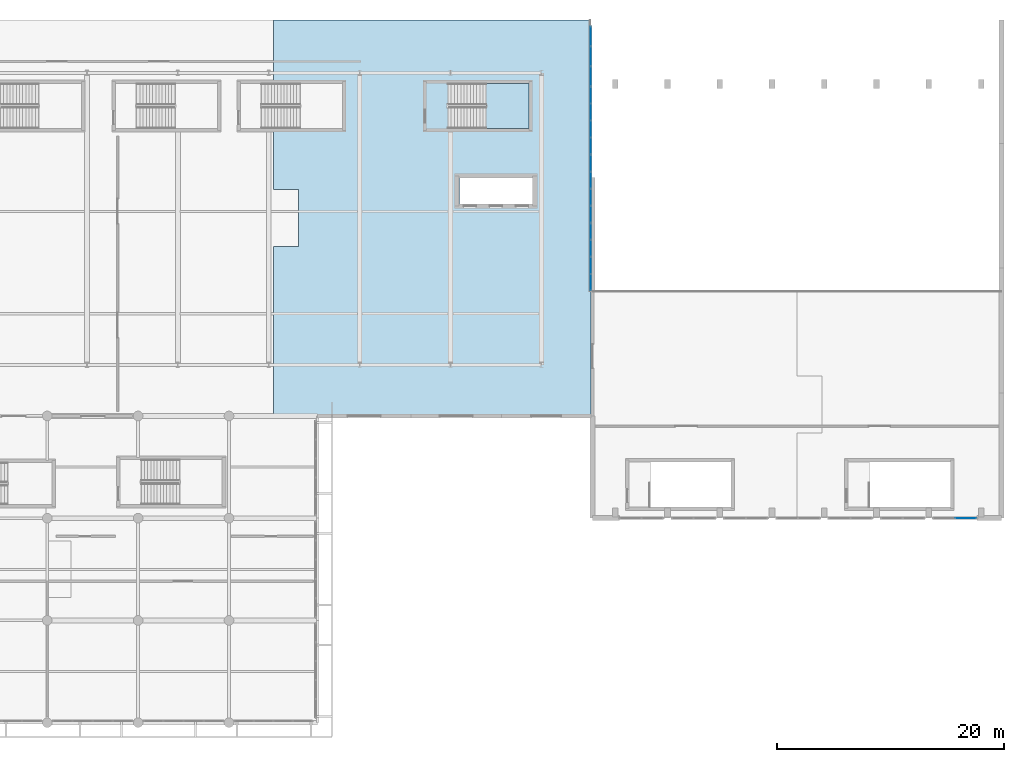
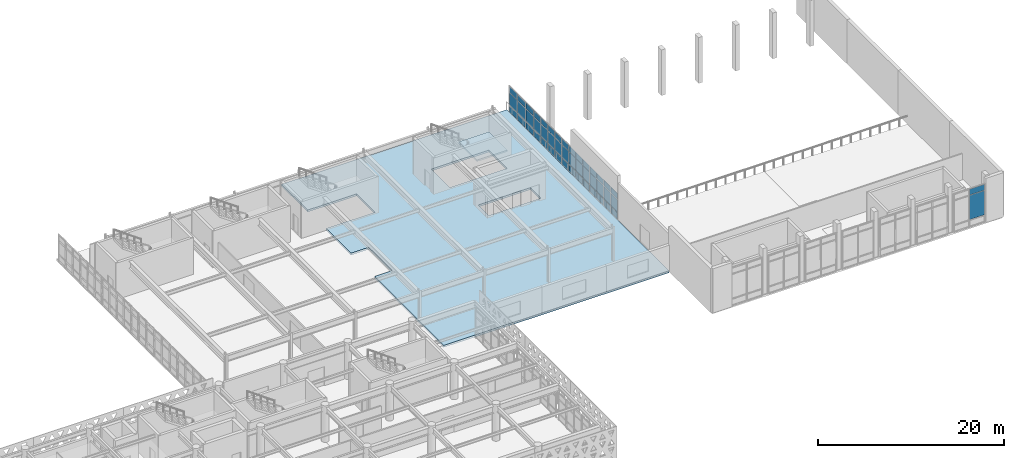
# One storey, part 34 of 54: 47 plates, 2 slabs, 6 elements without a shape of their own.
"""IFC4 building model written with IfcOpenShell, lengths in metres."""

from ifc_helpers import new_model, si_unit, direction, frame, origin, origin_2d, place, context, subcontext, project, spatial, polyline, rectangle, outline, extrude, material, layer, layer_set, type_object, element, aggregate, save


model = new_model("IFC4")

# Units and contexts
model_context = context("Model", 3, precision=1e-05, world=origin(), true_north=direction((0.0, 1.0)))
body_context = subcontext(model_context, "Body", "Model", "MODEL_VIEW")
ifc_project = project(units=[si_unit("LENGTHUNIT", "METRE"), si_unit("AREAUNIT", "SQUARE_METRE"), si_unit("VOLUMEUNIT", "CUBIC_METRE"), si_unit("PLANEANGLEUNIT", "RADIAN"), si_unit("MASSUNIT", "GRAM", prefix="KILO")], contexts=[model_context])

# Site, building, storey
site_placement = place(None, origin())
site = spatial("IfcSite", under=ifc_project, at=site_placement, CompositionType="ELEMENT")
building_placement = place(site_placement, origin())
building = spatial("IfcBuilding", under=site, at=building_placement, Name="Tlacozan Convention Centre", CompositionType="ELEMENT")
storey_placement = place(building_placement, frame((0.0, 0.0, 11.39990234375)))
storey = spatial("IfcBuildingStorey", under=building, at=storey_placement, Name="L02", CompositionType="ELEMENT", Elevation=11.39990234375)

# Curtain wall, plates
ifc_material_1 = material(Name="Dark Bronze Anodised Aluminium", Category="aluminium")
ifc_layer_1 = layer(ifc_material_1, 0.139892578125)
ifc_layer_set_1 = layer_set([ifc_layer_1], Name="Dark Bronze Anodised Aluminium")
curtain_wall_type_1 = type_object("IfcCurtainWallType", Name="Plenary Foyer L02 Curtain Wall CW12", PredefinedType="NOTDEFINED", material=ifc_layer_set_1)
curtain_wall_1_placement = place(storey_placement, origin())
curtain_wall_1 = element("IfcCurtainWall", 1, at=curtain_wall_1_placement, inside=storey, type_object=curtain_wall_type_1, Name="L02 CW-12 Run 154", PredefinedType="NOTDEFINED")
ifc_material_2 = material(Name="Solar Control Double Low-E Argon Glazing", Category="glass")
ifc_layer_2 = layer(ifc_material_2, 0.030029296875)
ifc_layer_set_2 = layer_set([ifc_layer_2], Name="Solar Control Double Low-E Argon Glazing")
plate_type_1 = type_object("IfcPlateType", Name="Double Low-E Acoustic CW Panel 30", PredefinedType="CURTAIN_PANEL", material=ifc_layer_set_2)
plate_1_placement = place(storey_placement, frame((176.860107421875, 18.0, 0.93017578125), z_axis=(0.0, 0.0, 1.0), x_axis=(1.0, 0.0, 0.0)))
plate_1 = element("IfcPlate", 2, at=plate_1_placement, type_object=plate_type_1, Name="CW-12 panel 2.2", PredefinedType="CURTAIN_PANEL", context=body_context, shape_type="SweptSolid", body=[
    extrude(rectangle(XDim=1.860107421875, YDim=0.030029296875, at=origin_2d()), origin(), (0.0, 0.0, 1.0), 3.18994140625),
])
plate_2_placement = place(storey_placement, frame((176.860107421875, 18.0, 4.18017578125), z_axis=(0.0, 0.0, 1.0), x_axis=(1.0, 0.0, 0.0)))
plate_2 = element("IfcPlate", 3, at=plate_2_placement, type_object=plate_type_1, Name="CW-12 panel 2.3", PredefinedType="CURTAIN_PANEL", context=body_context, shape_type="SweptSolid", body=[
    extrude(rectangle(XDim=1.860107421875, YDim=0.030029296875, at=origin_2d()), origin(), (0.0, 0.0, 1.0), 0.760009765625),
])
aggregate(curtain_wall_1, [plate_1, plate_2])

ifc_layer_3 = layer(ifc_material_1, 0.199951171875)
ifc_layer_set_3 = layer_set([ifc_layer_3], Name="Dark Bronze Anodised Aluminium")
curtain_wall_type_2 = type_object("IfcCurtainWallType", Name="Unitised Dining Cloister L02 CW09", PredefinedType="NOTDEFINED", material=ifc_layer_set_3)
curtain_wall_2_placement = place(storey_placement, origin())
curtain_wall_2 = element("IfcCurtainWall", 4, at=curtain_wall_2_placement, inside=storey, type_object=curtain_wall_type_2, Name="L02 CW-09 Run 168", PredefinedType="NOTDEFINED")
ifc_layer_4 = layer(ifc_material_2, 0.02001953125)
ifc_layer_set_4 = layer_set([ifc_layer_4], Name="Solar Control Double Low-E Argon Glazing")
plate_type_2 = type_object("IfcPlateType", Name="Double Low-E Glazed CW Panel 20", PredefinedType="CURTAIN_PANEL", material=ifc_layer_set_4)
plate_3_placement = place(storey_placement, frame((143.85009765625, 38.766357421875, 0.06494140625), z_axis=(0.0, 0.0, 1.0), x_axis=(0.0, 1.0, 0.0)))
plate_3 = element("IfcPlate", 5, at=plate_3_placement, type_object=plate_type_2, Name="CW-09 panel 1.1", PredefinedType="CURTAIN_PANEL", context=body_context, shape_type="SweptSolid", body=[
    extrude(rectangle(XDim=1.402587890625, YDim=0.02001953125, at=origin_2d()), origin(), (0.0, 0.0, 1.0), 0.802490234375),
])
plate_4_placement = place(storey_placement, frame((143.85009765625, 38.766357421875, 0.9326171875), z_axis=(0.0, 0.0, 1.0), x_axis=(0.0, 1.0, 0.0)))
plate_4 = element("IfcPlate", 6, at=plate_4_placement, type_object=plate_type_2, Name="CW-09 panel 1.2", PredefinedType="CURTAIN_PANEL", context=body_context, shape_type="SweptSolid", body=[
    extrude(rectangle(XDim=1.402587890625, YDim=0.02001953125, at=origin_2d()), origin(), (0.0, 0.0, 1.0), 1.68505859375),
])
plate_5_placement = place(storey_placement, frame((143.85009765625, 38.766357421875, 2.6826171875), z_axis=(0.0, 0.0, 1.0), x_axis=(0.0, 1.0, 0.0)))
plate_5 = element("IfcPlate", 7, at=plate_5_placement, type_object=plate_type_2, Name="CW-09 panel 1.3", PredefinedType="CURTAIN_PANEL", context=body_context, shape_type="SweptSolid", body=[
    extrude(rectangle(XDim=1.402587890625, YDim=0.02001953125, at=origin_2d()), origin(), (0.0, 0.0, 1.0), 0.75244140625),
])
plate_6_placement = place(storey_placement, frame((143.85009765625, 40.25, 0.06494140625), z_axis=(0.0, 0.0, 1.0), x_axis=(0.0, 1.0, 0.0)))
plate_6 = element("IfcPlate", 8, at=plate_6_placement, type_object=plate_type_2, Name="CW-09 panel 2.1", PredefinedType="CURTAIN_PANEL", context=body_context, shape_type="SweptSolid", body=[
    extrude(rectangle(XDim=1.43505859375, YDim=0.02001953125, at=origin_2d()), origin(), (0.0, 0.0, 1.0), 0.802490234375),
])
plate_7_placement = place(storey_placement, frame((143.85009765625, 40.25, 0.9326171875), z_axis=(0.0, 0.0, 1.0), x_axis=(0.0, 1.0, 0.0)))
plate_7 = element("IfcPlate", 9, at=plate_7_placement, type_object=plate_type_2, Name="CW-09 panel 2.2", PredefinedType="CURTAIN_PANEL", context=body_context, shape_type="SweptSolid", body=[
    extrude(rectangle(XDim=1.43505859375, YDim=0.02001953125, at=origin_2d()), origin(), (0.0, 0.0, 1.0), 1.68505859375),
])
plate_8_placement = place(storey_placement, frame((143.85009765625, 40.25, 2.6826171875), z_axis=(0.0, 0.0, 1.0), x_axis=(0.0, 1.0, 0.0)))
plate_8 = element("IfcPlate", 10, at=plate_8_placement, type_object=plate_type_2, Name="CW-09 panel 2.3", PredefinedType="CURTAIN_PANEL", context=body_context, shape_type="SweptSolid", body=[
    extrude(rectangle(XDim=1.43505859375, YDim=0.02001953125, at=origin_2d()), origin(), (0.0, 0.0, 1.0), 0.75244140625),
])
plate_9_placement = place(storey_placement, frame((143.85009765625, 41.75, 0.06494140625), z_axis=(0.0, 0.0, 1.0), x_axis=(0.0, 1.0, 0.0)))
plate_9 = element("IfcPlate", 11, at=plate_9_placement, type_object=plate_type_2, Name="CW-09 panel 3.1", PredefinedType="CURTAIN_PANEL", context=body_context, shape_type="SweptSolid", body=[
    extrude(rectangle(XDim=1.43505859375, YDim=0.02001953125, at=origin_2d()), origin(), (0.0, 0.0, 1.0), 0.802490234375),
])
plate_10_placement = place(storey_placement, frame((143.85009765625, 41.75, 0.9326171875), z_axis=(0.0, 0.0, 1.0), x_axis=(0.0, 1.0, 0.0)))
plate_10 = element("IfcPlate", 12, at=plate_10_placement, type_object=plate_type_2, Name="CW-09 panel 3.2", PredefinedType="CURTAIN_PANEL", context=body_context, shape_type="SweptSolid", body=[
    extrude(rectangle(XDim=1.43505859375, YDim=0.02001953125, at=origin_2d()), origin(), (0.0, 0.0, 1.0), 1.68505859375),
])
plate_11_placement = place(storey_placement, frame((143.85009765625, 41.75, 2.6826171875), z_axis=(0.0, 0.0, 1.0), x_axis=(0.0, 1.0, 0.0)))
plate_11 = element("IfcPlate", 13, at=plate_11_placement, type_object=plate_type_2, Name="CW-09 panel 3.3", PredefinedType="CURTAIN_PANEL", context=body_context, shape_type="SweptSolid", body=[
    extrude(rectangle(XDim=1.43505859375, YDim=0.02001953125, at=origin_2d()), origin(), (0.0, 0.0, 1.0), 0.75244140625),
])
plate_12_placement = place(storey_placement, frame((143.85009765625, 43.233642578125, 0.06494140625), z_axis=(0.0, 0.0, 1.0), x_axis=(0.0, 1.0, 0.0)))
plate_12 = element("IfcPlate", 14, at=plate_12_placement, type_object=plate_type_2, Name="CW-09 panel 4.1", PredefinedType="CURTAIN_PANEL", context=body_context, shape_type="SweptSolid", body=[
    extrude(rectangle(XDim=1.402587890625, YDim=0.02001953125, at=origin_2d()), origin(), (0.0, 0.0, 1.0), 0.802490234375),
])
plate_13_placement = place(storey_placement, frame((143.85009765625, 43.233642578125, 0.9326171875), z_axis=(0.0, 0.0, 1.0), x_axis=(0.0, 1.0, 0.0)))
plate_13 = element("IfcPlate", 15, at=plate_13_placement, type_object=plate_type_2, Name="CW-09 panel 4.2", PredefinedType="CURTAIN_PANEL", context=body_context, shape_type="SweptSolid", body=[
    extrude(rectangle(XDim=1.402587890625, YDim=0.02001953125, at=origin_2d()), origin(), (0.0, 0.0, 1.0), 1.68505859375),
])
plate_14_placement = place(storey_placement, frame((143.85009765625, 43.233642578125, 2.6826171875), z_axis=(0.0, 0.0, 1.0), x_axis=(0.0, 1.0, 0.0)))
plate_14 = element("IfcPlate", 16, at=plate_14_placement, type_object=plate_type_2, Name="CW-09 panel 4.3", PredefinedType="CURTAIN_PANEL", context=body_context, shape_type="SweptSolid", body=[
    extrude(rectangle(XDim=1.402587890625, YDim=0.02001953125, at=origin_2d()), origin(), (0.0, 0.0, 1.0), 0.75244140625),
])
aggregate(curtain_wall_2, [plate_3, plate_4, plate_5, plate_6, plate_7, plate_8, plate_9, plate_10, plate_11, plate_12, plate_13, plate_14])

curtain_wall_3_placement = place(storey_placement, origin())
curtain_wall_3 = element("IfcCurtainWall", 17, at=curtain_wall_3_placement, inside=storey, type_object=curtain_wall_type_2, Name="L02 CW-09 Run 169", PredefinedType="NOTDEFINED")
plate_15_placement = place(storey_placement, frame((143.85009765625, 44.766357421875, 0.06494140625), z_axis=(0.0, 0.0, 1.0), x_axis=(0.0, 1.0, 0.0)))
plate_15 = element("IfcPlate", 18, at=plate_15_placement, type_object=plate_type_2, Name="CW-09 panel 1.1", PredefinedType="CURTAIN_PANEL", context=body_context, shape_type="SweptSolid", body=[
    extrude(rectangle(XDim=1.402587890625, YDim=0.02001953125, at=origin_2d()), origin(), (0.0, 0.0, 1.0), 0.802490234375),
])
plate_16_placement = place(storey_placement, frame((143.85009765625, 44.766357421875, 0.9326171875), z_axis=(0.0, 0.0, 1.0), x_axis=(0.0, 1.0, 0.0)))
plate_16 = element("IfcPlate", 19, at=plate_16_placement, type_object=plate_type_2, Name="CW-09 panel 1.2", PredefinedType="CURTAIN_PANEL", context=body_context, shape_type="SweptSolid", body=[
    extrude(rectangle(XDim=1.402587890625, YDim=0.02001953125, at=origin_2d()), origin(), (0.0, 0.0, 1.0), 1.68505859375),
])
plate_17_placement = place(storey_placement, frame((143.85009765625, 44.766357421875, 2.6826171875), z_axis=(0.0, 0.0, 1.0), x_axis=(0.0, 1.0, 0.0)))
plate_17 = element("IfcPlate", 20, at=plate_17_placement, type_object=plate_type_2, Name="CW-09 panel 1.3", PredefinedType="CURTAIN_PANEL", context=body_context, shape_type="SweptSolid", body=[
    extrude(rectangle(XDim=1.402587890625, YDim=0.02001953125, at=origin_2d()), origin(), (0.0, 0.0, 1.0), 0.75244140625),
])
plate_18_placement = place(storey_placement, frame((143.85009765625, 46.25, 0.06494140625), z_axis=(0.0, 0.0, 1.0), x_axis=(0.0, 1.0, 0.0)))
plate_18 = element("IfcPlate", 21, at=plate_18_placement, type_object=plate_type_2, Name="CW-09 panel 2.1", PredefinedType="CURTAIN_PANEL", context=body_context, shape_type="SweptSolid", body=[
    extrude(rectangle(XDim=1.43505859375, YDim=0.02001953125, at=origin_2d()), origin(), (0.0, 0.0, 1.0), 0.802490234375),
])
plate_19_placement = place(storey_placement, frame((143.85009765625, 46.25, 0.9326171875), z_axis=(0.0, 0.0, 1.0), x_axis=(0.0, 1.0, 0.0)))
plate_19 = element("IfcPlate", 22, at=plate_19_placement, type_object=plate_type_2, Name="CW-09 panel 2.2", PredefinedType="CURTAIN_PANEL", context=body_context, shape_type="SweptSolid", body=[
    extrude(rectangle(XDim=1.43505859375, YDim=0.02001953125, at=origin_2d()), origin(), (0.0, 0.0, 1.0), 1.68505859375),
])
plate_20_placement = place(storey_placement, frame((143.85009765625, 46.25, 2.6826171875), z_axis=(0.0, 0.0, 1.0), x_axis=(0.0, 1.0, 0.0)))
plate_20 = element("IfcPlate", 23, at=plate_20_placement, type_object=plate_type_2, Name="CW-09 panel 2.3", PredefinedType="CURTAIN_PANEL", context=body_context, shape_type="SweptSolid", body=[
    extrude(rectangle(XDim=1.43505859375, YDim=0.02001953125, at=origin_2d()), origin(), (0.0, 0.0, 1.0), 0.75244140625),
])
plate_21_placement = place(storey_placement, frame((143.85009765625, 47.75, 0.06494140625), z_axis=(0.0, 0.0, 1.0), x_axis=(0.0, 1.0, 0.0)))
plate_21 = element("IfcPlate", 24, at=plate_21_placement, type_object=plate_type_2, Name="CW-09 panel 3.1", PredefinedType="CURTAIN_PANEL", context=body_context, shape_type="SweptSolid", body=[
    extrude(rectangle(XDim=1.43505859375, YDim=0.02001953125, at=origin_2d()), origin(), (0.0, 0.0, 1.0), 0.802490234375),
])
plate_22_placement = place(storey_placement, frame((143.85009765625, 47.75, 0.9326171875), z_axis=(0.0, 0.0, 1.0), x_axis=(0.0, 1.0, 0.0)))
plate_22 = element("IfcPlate", 25, at=plate_22_placement, type_object=plate_type_2, Name="CW-09 panel 3.2", PredefinedType="CURTAIN_PANEL", context=body_context, shape_type="SweptSolid", body=[
    extrude(rectangle(XDim=1.43505859375, YDim=0.02001953125, at=origin_2d()), origin(), (0.0, 0.0, 1.0), 1.68505859375),
])
plate_23_placement = place(storey_placement, frame((143.85009765625, 47.75, 2.6826171875), z_axis=(0.0, 0.0, 1.0), x_axis=(0.0, 1.0, 0.0)))
plate_23 = element("IfcPlate", 26, at=plate_23_placement, type_object=plate_type_2, Name="CW-09 panel 3.3", PredefinedType="CURTAIN_PANEL", context=body_context, shape_type="SweptSolid", body=[
    extrude(rectangle(XDim=1.43505859375, YDim=0.02001953125, at=origin_2d()), origin(), (0.0, 0.0, 1.0), 0.75244140625),
])
plate_24_placement = place(storey_placement, frame((143.85009765625, 49.233642578125, 0.06494140625), z_axis=(0.0, 0.0, 1.0), x_axis=(0.0, 1.0, 0.0)))
plate_24 = element("IfcPlate", 27, at=plate_24_placement, type_object=plate_type_2, Name="CW-09 panel 4.1", PredefinedType="CURTAIN_PANEL", context=body_context, shape_type="SweptSolid", body=[
    extrude(rectangle(XDim=1.402587890625, YDim=0.02001953125, at=origin_2d()), origin(), (0.0, 0.0, 1.0), 0.802490234375),
])
plate_25_placement = place(storey_placement, frame((143.85009765625, 49.233642578125, 0.9326171875), z_axis=(0.0, 0.0, 1.0), x_axis=(0.0, 1.0, 0.0)))
plate_25 = element("IfcPlate", 28, at=plate_25_placement, type_object=plate_type_2, Name="CW-09 panel 4.2", PredefinedType="CURTAIN_PANEL", context=body_context, shape_type="SweptSolid", body=[
    extrude(rectangle(XDim=1.402587890625, YDim=0.02001953125, at=origin_2d()), origin(), (0.0, 0.0, 1.0), 1.68505859375),
])
plate_26_placement = place(storey_placement, frame((143.85009765625, 49.233642578125, 2.6826171875), z_axis=(0.0, 0.0, 1.0), x_axis=(0.0, 1.0, 0.0)))
plate_26 = element("IfcPlate", 29, at=plate_26_placement, type_object=plate_type_2, Name="CW-09 panel 4.3", PredefinedType="CURTAIN_PANEL", context=body_context, shape_type="SweptSolid", body=[
    extrude(rectangle(XDim=1.402587890625, YDim=0.02001953125, at=origin_2d()), origin(), (0.0, 0.0, 1.0), 0.75244140625),
])
aggregate(curtain_wall_3, [plate_15, plate_16, plate_17, plate_18, plate_19, plate_20, plate_21, plate_22, plate_23, plate_24, plate_25, plate_26])

curtain_wall_4_placement = place(storey_placement, origin())
curtain_wall_4 = element("IfcCurtainWall", 30, at=curtain_wall_4_placement, inside=storey, type_object=curtain_wall_type_2, Name="L02 CW-09 Run 170", PredefinedType="NOTDEFINED")
plate_27_placement = place(storey_placement, frame((143.85009765625, 50.766357421875, 0.06494140625), z_axis=(0.0, 0.0, 1.0), x_axis=(0.0, 1.0, 0.0)))
plate_27 = element("IfcPlate", 31, at=plate_27_placement, type_object=plate_type_2, Name="CW-09 panel 1.1", PredefinedType="CURTAIN_PANEL", context=body_context, shape_type="SweptSolid", body=[
    extrude(rectangle(XDim=1.402587890625, YDim=0.02001953125, at=origin_2d()), origin(), (0.0, 0.0, 1.0), 0.802490234375),
])
plate_28_placement = place(storey_placement, frame((143.85009765625, 50.766357421875, 0.9326171875), z_axis=(0.0, 0.0, 1.0), x_axis=(0.0, 1.0, 0.0)))
plate_28 = element("IfcPlate", 32, at=plate_28_placement, type_object=plate_type_2, Name="CW-09 panel 1.2", PredefinedType="CURTAIN_PANEL", context=body_context, shape_type="SweptSolid", body=[
    extrude(rectangle(XDim=1.402587890625, YDim=0.02001953125, at=origin_2d()), origin(), (0.0, 0.0, 1.0), 1.68505859375),
])
plate_29_placement = place(storey_placement, frame((143.85009765625, 50.766357421875, 2.6826171875), z_axis=(0.0, 0.0, 1.0), x_axis=(0.0, 1.0, 0.0)))
plate_29 = element("IfcPlate", 33, at=plate_29_placement, type_object=plate_type_2, Name="CW-09 panel 1.3", PredefinedType="CURTAIN_PANEL", context=body_context, shape_type="SweptSolid", body=[
    extrude(rectangle(XDim=1.402587890625, YDim=0.02001953125, at=origin_2d()), origin(), (0.0, 0.0, 1.0), 0.75244140625),
])
plate_30_placement = place(storey_placement, frame((143.85009765625, 52.25, 0.06494140625), z_axis=(0.0, 0.0, 1.0), x_axis=(0.0, 1.0, 0.0)))
plate_30 = element("IfcPlate", 34, at=plate_30_placement, type_object=plate_type_2, Name="CW-09 panel 2.1", PredefinedType="CURTAIN_PANEL", context=body_context, shape_type="SweptSolid", body=[
    extrude(rectangle(XDim=1.43505859375, YDim=0.02001953125, at=origin_2d()), origin(), (0.0, 0.0, 1.0), 0.802490234375),
])
plate_31_placement = place(storey_placement, frame((143.85009765625, 52.25, 0.9326171875), z_axis=(0.0, 0.0, 1.0), x_axis=(0.0, 1.0, 0.0)))
plate_31 = element("IfcPlate", 35, at=plate_31_placement, type_object=plate_type_2, Name="CW-09 panel 2.2", PredefinedType="CURTAIN_PANEL", context=body_context, shape_type="SweptSolid", body=[
    extrude(rectangle(XDim=1.43505859375, YDim=0.02001953125, at=origin_2d()), origin(), (0.0, 0.0, 1.0), 1.68505859375),
])
plate_32_placement = place(storey_placement, frame((143.85009765625, 52.25, 2.6826171875), z_axis=(0.0, 0.0, 1.0), x_axis=(0.0, 1.0, 0.0)))
plate_32 = element("IfcPlate", 36, at=plate_32_placement, type_object=plate_type_2, Name="CW-09 panel 2.3", PredefinedType="CURTAIN_PANEL", context=body_context, shape_type="SweptSolid", body=[
    extrude(rectangle(XDim=1.43505859375, YDim=0.02001953125, at=origin_2d()), origin(), (0.0, 0.0, 1.0), 0.75244140625),
])
plate_33_placement = place(storey_placement, frame((143.85009765625, 53.75, 0.06494140625), z_axis=(0.0, 0.0, 1.0), x_axis=(0.0, 1.0, 0.0)))
plate_33 = element("IfcPlate", 37, at=plate_33_placement, type_object=plate_type_2, Name="CW-09 panel 3.1", PredefinedType="CURTAIN_PANEL", context=body_context, shape_type="SweptSolid", body=[
    extrude(rectangle(XDim=1.43505859375, YDim=0.02001953125, at=origin_2d()), origin(), (0.0, 0.0, 1.0), 0.802490234375),
])
plate_34_placement = place(storey_placement, frame((143.85009765625, 53.75, 0.9326171875), z_axis=(0.0, 0.0, 1.0), x_axis=(0.0, 1.0, 0.0)))
plate_34 = element("IfcPlate", 38, at=plate_34_placement, type_object=plate_type_2, Name="CW-09 panel 3.2", PredefinedType="CURTAIN_PANEL", context=body_context, shape_type="SweptSolid", body=[
    extrude(rectangle(XDim=1.43505859375, YDim=0.02001953125, at=origin_2d()), origin(), (0.0, 0.0, 1.0), 1.68505859375),
])
plate_35_placement = place(storey_placement, frame((143.85009765625, 53.75, 2.6826171875), z_axis=(0.0, 0.0, 1.0), x_axis=(0.0, 1.0, 0.0)))
plate_35 = element("IfcPlate", 39, at=plate_35_placement, type_object=plate_type_2, Name="CW-09 panel 3.3", PredefinedType="CURTAIN_PANEL", context=body_context, shape_type="SweptSolid", body=[
    extrude(rectangle(XDim=1.43505859375, YDim=0.02001953125, at=origin_2d()), origin(), (0.0, 0.0, 1.0), 0.75244140625),
])
plate_36_placement = place(storey_placement, frame((143.85009765625, 55.233642578125, 0.06494140625), z_axis=(0.0, 0.0, 1.0), x_axis=(0.0, 1.0, 0.0)))
plate_36 = element("IfcPlate", 40, at=plate_36_placement, type_object=plate_type_2, Name="CW-09 panel 4.1", PredefinedType="CURTAIN_PANEL", context=body_context, shape_type="SweptSolid", body=[
    extrude(rectangle(XDim=1.402587890625, YDim=0.02001953125, at=origin_2d()), origin(), (0.0, 0.0, 1.0), 0.802490234375),
])
plate_37_placement = place(storey_placement, frame((143.85009765625, 55.233642578125, 0.9326171875), z_axis=(0.0, 0.0, 1.0), x_axis=(0.0, 1.0, 0.0)))
plate_37 = element("IfcPlate", 41, at=plate_37_placement, type_object=plate_type_2, Name="CW-09 panel 4.2", PredefinedType="CURTAIN_PANEL", context=body_context, shape_type="SweptSolid", body=[
    extrude(rectangle(XDim=1.402587890625, YDim=0.02001953125, at=origin_2d()), origin(), (0.0, 0.0, 1.0), 1.68505859375),
])
plate_38_placement = place(storey_placement, frame((143.85009765625, 55.233642578125, 2.6826171875), z_axis=(0.0, 0.0, 1.0), x_axis=(0.0, 1.0, 0.0)))
plate_38 = element("IfcPlate", 42, at=plate_38_placement, type_object=plate_type_2, Name="CW-09 panel 4.3", PredefinedType="CURTAIN_PANEL", context=body_context, shape_type="SweptSolid", body=[
    extrude(rectangle(XDim=1.402587890625, YDim=0.02001953125, at=origin_2d()), origin(), (0.0, 0.0, 1.0), 0.75244140625),
])
aggregate(curtain_wall_4, [plate_27, plate_28, plate_29, plate_30, plate_31, plate_32, plate_33, plate_34, plate_35, plate_36, plate_37, plate_38])

curtain_wall_5_placement = place(storey_placement, origin())
curtain_wall_5 = element("IfcCurtainWall", 43, at=curtain_wall_5_placement, inside=storey, type_object=curtain_wall_type_2, Name="L02 CW-09 Run 171", PredefinedType="NOTDEFINED")
plate_39_placement = place(storey_placement, frame((143.85009765625, 56.90283203125, 0.06494140625), z_axis=(0.0, 0.0, 1.0), x_axis=(0.0, 1.0, 0.0)))
plate_39 = element("IfcPlate", 44, at=plate_39_placement, type_object=plate_type_2, Name="CW-09 panel 1.1", PredefinedType="CURTAIN_PANEL", context=body_context, shape_type="SweptSolid", body=[
    extrude(rectangle(XDim=1.67578125, YDim=0.02001953125, at=origin_2d()), origin(), (0.0, 0.0, 1.0), 0.802490234375),
])
plate_40_placement = place(storey_placement, frame((143.85009765625, 56.90283203125, 0.9326171875), z_axis=(0.0, 0.0, 1.0), x_axis=(0.0, 1.0, 0.0)))
plate_40 = element("IfcPlate", 45, at=plate_40_placement, type_object=plate_type_2, Name="CW-09 panel 1.2", PredefinedType="CURTAIN_PANEL", context=body_context, shape_type="SweptSolid", body=[
    extrude(rectangle(XDim=1.67578125, YDim=0.02001953125, at=origin_2d()), origin(), (0.0, 0.0, 1.0), 1.68505859375),
])
plate_41_placement = place(storey_placement, frame((143.85009765625, 56.90283203125, 2.6826171875), z_axis=(0.0, 0.0, 1.0), x_axis=(0.0, 1.0, 0.0)))
plate_41 = element("IfcPlate", 46, at=plate_41_placement, type_object=plate_type_2, Name="CW-09 panel 1.3", PredefinedType="CURTAIN_PANEL", context=body_context, shape_type="SweptSolid", body=[
    extrude(rectangle(XDim=1.67578125, YDim=0.02001953125, at=origin_2d()), origin(), (0.0, 0.0, 1.0), 0.75244140625),
])
plate_42_placement = place(storey_placement, frame((143.85009765625, 58.659912109375, 0.06494140625), z_axis=(0.0, 0.0, 1.0), x_axis=(0.0, 1.0, 0.0)))
plate_42 = element("IfcPlate", 47, at=plate_42_placement, type_object=plate_type_2, Name="CW-09 panel 2.1", PredefinedType="CURTAIN_PANEL", context=body_context, shape_type="SweptSolid", body=[
    extrude(rectangle(XDim=1.708251953125, YDim=0.02001953125, at=origin_2d()), origin(), (0.0, 0.0, 1.0), 0.802490234375),
])
plate_43_placement = place(storey_placement, frame((143.85009765625, 58.659912109375, 0.9326171875), z_axis=(0.0, 0.0, 1.0), x_axis=(0.0, 1.0, 0.0)))
plate_43 = element("IfcPlate", 48, at=plate_43_placement, type_object=plate_type_2, Name="CW-09 panel 2.2", PredefinedType="CURTAIN_PANEL", context=body_context, shape_type="SweptSolid", body=[
    extrude(rectangle(XDim=1.708251953125, YDim=0.02001953125, at=origin_2d()), origin(), (0.0, 0.0, 1.0), 1.68505859375),
])
plate_44_placement = place(storey_placement, frame((143.85009765625, 58.659912109375, 2.6826171875), z_axis=(0.0, 0.0, 1.0), x_axis=(0.0, 1.0, 0.0)))
plate_44 = element("IfcPlate", 49, at=plate_44_placement, type_object=plate_type_2, Name="CW-09 panel 2.3", PredefinedType="CURTAIN_PANEL", context=body_context, shape_type="SweptSolid", body=[
    extrude(rectangle(XDim=1.708251953125, YDim=0.02001953125, at=origin_2d()), origin(), (0.0, 0.0, 1.0), 0.75244140625),
])
plate_45_placement = place(storey_placement, frame((143.85009765625, 60.4169921875, 0.06494140625), z_axis=(0.0, 0.0, 1.0), x_axis=(0.0, 1.0, 0.0)))
plate_45 = element("IfcPlate", 50, at=plate_45_placement, type_object=plate_type_2, Name="CW-09 panel 3.1", PredefinedType="CURTAIN_PANEL", context=body_context, shape_type="SweptSolid", body=[
    extrude(rectangle(XDim=1.67578125, YDim=0.02001953125, at=origin_2d()), origin(), (0.0, 0.0, 1.0), 0.802490234375),
])
plate_46_placement = place(storey_placement, frame((143.85009765625, 60.4169921875, 0.9326171875), z_axis=(0.0, 0.0, 1.0), x_axis=(0.0, 1.0, 0.0)))
plate_46 = element("IfcPlate", 51, at=plate_46_placement, type_object=plate_type_2, Name="CW-09 panel 3.2", PredefinedType="CURTAIN_PANEL", context=body_context, shape_type="SweptSolid", body=[
    extrude(rectangle(XDim=1.67578125, YDim=0.02001953125, at=origin_2d()), origin(), (0.0, 0.0, 1.0), 1.68505859375),
])
plate_47_placement = place(storey_placement, frame((143.85009765625, 60.4169921875, 2.6826171875), z_axis=(0.0, 0.0, 1.0), x_axis=(0.0, 1.0, 0.0)))
plate_47 = element("IfcPlate", 52, at=plate_47_placement, type_object=plate_type_2, Name="CW-09 panel 3.3", PredefinedType="CURTAIN_PANEL", context=body_context, shape_type="SweptSolid", body=[
    extrude(rectangle(XDim=1.67578125, YDim=0.02001953125, at=origin_2d()), origin(), (0.0, 0.0, 1.0), 0.75244140625),
])
aggregate(curtain_wall_5, [plate_39, plate_40, plate_41, plate_42, plate_43, plate_44, plate_45, plate_46, plate_47])

# Stair, slab
ifc_material_3 = material(Name="Concrete C40/50", Category="concrete")
stair_type = type_object("IfcStairType", Name="Protected Dogleg Stair W188 H48", PredefinedType="HALF_TURN_STAIR", material=ifc_material_3)
stair_placement = place(storey_placement, origin())
stair = element("IfcStair", 53, at=stair_placement, inside=storey, type_object=stair_type, Name="L02 Ballroom and Plenary Hub Core Stair ST-03", PredefinedType="HALF_TURN_STAIR")
ifc_layer_5 = layer(ifc_material_3, 0.199951171875)
ifc_layer_set_5 = layer_set([ifc_layer_5], Name="Concrete C40/50")
slab_type_1 = type_object("IfcSlabType", Name="Stair Half Landing Slab 200", PredefinedType="LANDING", material=ifc_layer_set_5)
slab_1_placement = place(storey_placement, frame((0.0, 0.0, 2.2001953125)))
slab_1 = element("IfcSlab", 54, at=slab_1_placement, type_object=slab_type_1, Name="ST-03 landing 1", PredefinedType="LANDING", context=body_context, shape_type="SweptSolid", body=[
    extrude(outline(polyline([(134.639892578125, 52.300048828125), (138.39990234375, 52.300048828125), (138.39990234375, 56.260009765625), (134.639892578125, 56.260009765625), (134.639892578125, 52.300048828125)])), origin(), (0.0, 0.0, 1.0), 0.199951171875),
])
aggregate(stair, [slab_1])

# Slab
ifc_layer_6 = layer(ifc_material_3, 0.260009765625)
ifc_layer_set_6 = layer_set([ifc_layer_6], Name="Concrete C40/50")
slab_type_2 = type_object("IfcSlabType", Name="Upper Congress Floor Slab 260", PredefinedType="FLOOR", material=ifc_layer_set_6)
slab_2_placement = place(storey_placement, frame((0.0, 0.0, -0.260009765625)))
element("IfcSlab", 55, at=slab_2_placement, inside=storey, type_object=slab_type_2, Name="L02 Upper Congress Floor Slab 260 73", PredefinedType="FLOOR", context=body_context, shape_type="SweptSolid", body=[
    extrude(outline(polyline([(143.85009765625, 61.85009765625), (143.85009765625, 27.0), (115.925048828125, 27.0), (115.925048828125, 41.925048828125), (118.125, 41.925048828125), (118.125, 46.925048828125), (115.925048828125, 46.925048828125), (115.925048828125, 52.300048828125), (122.0, 52.300048828125), (122.0, 56.260009765625), (115.925048828125, 56.260009765625), (115.925048828125, 61.85009765625), (143.85009765625, 61.85009765625)]), holes=[polyline([(138.72998046875, 47.929931640625), (132.27001953125, 47.929931640625), (132.27001953125, 45.669921875), (138.72998046875, 45.669921875), (138.72998046875, 47.929931640625)]), polyline([(131.280029296875, 52.300048828125), (138.39990234375, 52.300048828125), (138.39990234375, 56.260009765625), (131.280029296875, 56.260009765625), (131.280029296875, 52.300048828125)])]), origin(), (0.0, 0.0, 1.0), 0.260009765625),
])

save(model, "model.ifc")
